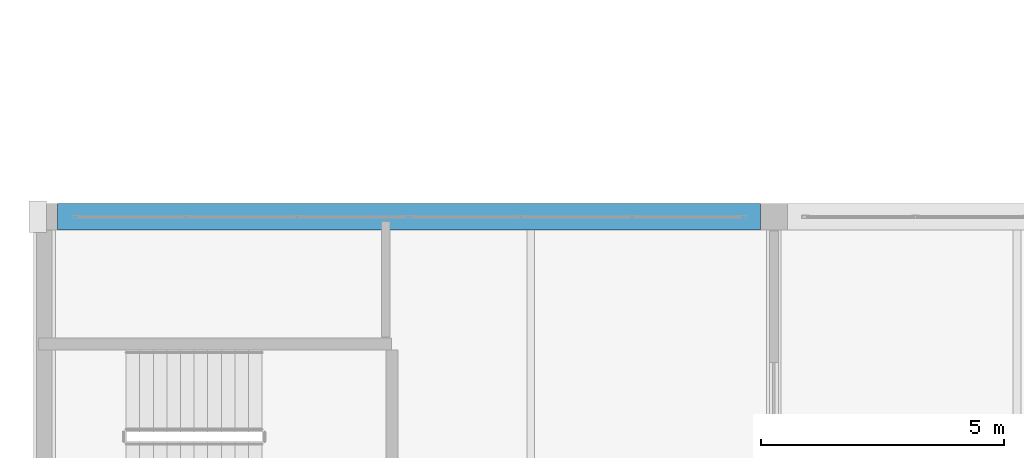
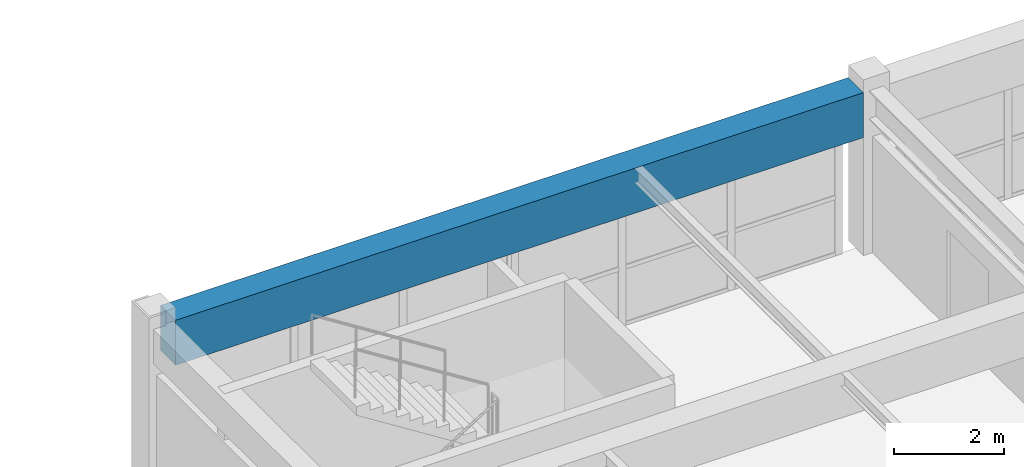
# One storey, part 25 of 101: 1 beam.
"""IFC4 building model written with IfcOpenShell, lengths in metres."""

from ifc_helpers import new_model, si_unit, direction, frame, origin, origin_2d, place, context, subcontext, project, spatial, rectangle, extrude, material, material_profile, profile_set, type_object, element, save


model = new_model("IFC4")

# Units and contexts
model_context = context("Model", 3, precision=1e-05, world=origin(), true_north=direction((0.0, 1.0)))
body_context = subcontext(model_context, "Body", "Model", "MODEL_VIEW")
ifc_project = project(units=[si_unit("LENGTHUNIT", "METRE"), si_unit("AREAUNIT", "SQUARE_METRE"), si_unit("VOLUMEUNIT", "CUBIC_METRE"), si_unit("PLANEANGLEUNIT", "RADIAN"), si_unit("MASSUNIT", "GRAM", prefix="KILO")], contexts=[model_context])

# Site, building, storey
site_placement = place(None, origin())
site = spatial("IfcSite", under=ifc_project, at=site_placement, CompositionType="ELEMENT")
building_placement = place(site_placement, origin())
building = spatial("IfcBuilding", under=site, at=building_placement, Name="Qasida Concert Hall", CompositionType="ELEMENT")
storey_placement = place(building_placement, frame((0.0, 0.0, 13.199951171875)))
storey = spatial("IfcBuildingStorey", under=building, at=storey_placement, Name="L03", CompositionType="ELEMENT", Elevation=13.199951171875)

# Beam
ifc_material = material(Name="Concrete C40/50", Category="concrete")
ifc_material_profile = material_profile(ifc_material, rectangle(XDim=0.550048828125, YDim=1.0, at=origin_2d()), Name="RC 550x1000")
ifc_profile_set = profile_set([ifc_material_profile], Name="Concrete C40/50")
beam_type = type_object("IfcBeamType", Name="BM-G3", PredefinedType="USERDEFINED", material=ifc_profile_set)
beam_placement = place(storey_placement, frame((0.27490234375, 52.5, 3.1201171875), z_axis=(1.0, 0.0, 0.0), x_axis=(0.0, 1.0, 0.0)))
element("IfcBeam", 1, at=beam_placement, inside=storey, type_object=beam_type, Name="Primary girder 1613", ObjectType="GIRDER", PredefinedType="USERDEFINED", context=body_context, shape_type="SweptSolid", body=[
    extrude(rectangle(XDim=0.550048828125, YDim=1.0, at=origin_2d()), origin(), (0.0, 0.0, 1.0), 14.4501953125),
])

save(model, "model.ifc")
